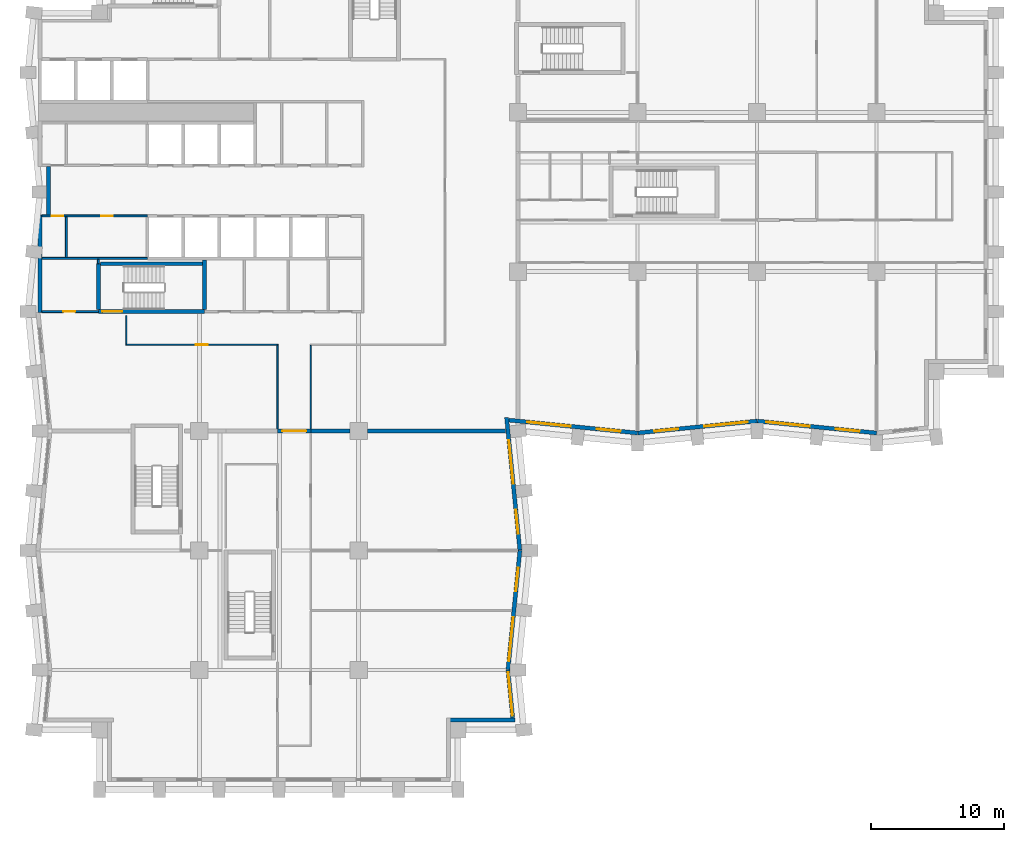
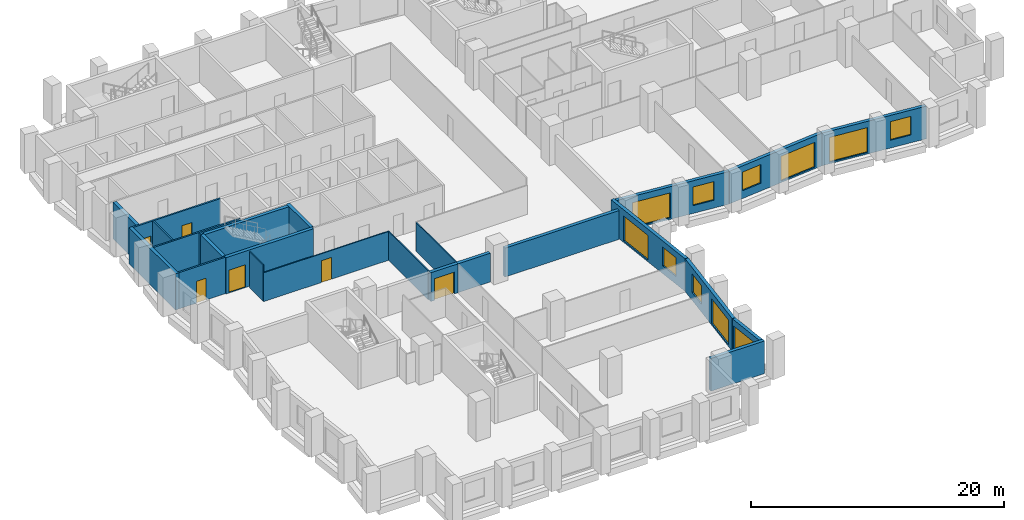
# One storey, part 4 of 11: 25 walls, 11 windows, 6 doors, 17 openings.
"""IFC4 building model written with IfcOpenShell, lengths in metres."""

from ifc_helpers import new_model, si_unit, direction, frame, frame_2d, origin, place, context, subcontext, project, spatial, rectangle, extrude, material, layer, layer_set, type_object, element, fill, save


model = new_model("IFC4")

# Units and contexts
model_context = context("Model", 3, precision=1e-05, world=origin(), true_north=direction((0.0, 1.0)))
body_context = subcontext(model_context, "Body", "Model", "MODEL_VIEW")
ifc_project = project(units=[si_unit("LENGTHUNIT", "METRE"), si_unit("AREAUNIT", "SQUARE_METRE"), si_unit("VOLUMEUNIT", "CUBIC_METRE"), si_unit("PLANEANGLEUNIT", "RADIAN"), si_unit("MASSUNIT", "GRAM", prefix="KILO")], contexts=[model_context])

# Site, building, storey
site_placement = place(None, origin())
site = spatial("IfcSite", under=ifc_project, at=site_placement, CompositionType="ELEMENT")
building_placement = place(site_placement, origin())
building = spatial("IfcBuilding", under=site, at=building_placement, Name="Brondeck Convention Tower", CompositionType="ELEMENT")
storey_placement = place(building_placement, frame((0.0, 0.0, 92.300048828125)))
storey = spatial("IfcBuildingStorey", under=building, at=storey_placement, Name="L21", CompositionType="ELEMENT", Elevation=92.300048828125)

# Wall, opening, door
ifc_material_1 = material(Name="Concrete compartment wall C30/37", Category="concrete")
ifc_layer_1 = layer(ifc_material_1, 0.300048828125)
ifc_layer_set_1 = layer_set([ifc_layer_1], Name="Compartment wall 300")
wall_type_1 = type_object("IfcWallType", Name="Compartment wall 300", PredefinedType="PARTITIONING", material=ifc_layer_set_1)
wall_1_placement = place(storey_placement, frame((20.39990234375, 27.0, 0.0), z_axis=(0.0, 0.0, 1.0), x_axis=(-1.0, 0.0, 0.0)))
wall_1 = element("IfcWall", 1, at=wall_1_placement, inside=storey, type_object=wall_type_1, Name="FLR-L21-W020", PredefinedType="PARTITIONING", context=body_context, shape_type="SweptSolid", body=[
    extrude(rectangle(XDim=2.5, YDim=0.300048828125, at=frame_2d((1.25, 0.0))), origin(), (0.0, 0.0, 1.0), 2.780029296875),
])
opening_1_placement = place(wall_1_placement, frame((0.35009765625, 0.0, 0.0)))
opening_1 = element("IfcOpeningElement", 2, at=opening_1_placement, cuts=wall_1, Name="Opening OF-A-024", PredefinedType="OPENING", context=body_context, shape_type="SweptSolid", body=[
    extrude(rectangle(XDim=1.800048828125, YDim=2.10009765625, at=frame_2d((0.89990234375, 1.050048828125))), frame((0.0, 0.159912109375, 0.0), z_axis=(0.0, -1.0, 0.0), x_axis=(1.0, 0.0, 0.0)), (0.0, 0.0, 1.0), 0.320068359375),
])
ifc_material_2 = material(Name="Steel fire door pair", Category="steel")
door_type_1 = type_object("IfcDoorType", Name="Fire door pair 1800", OperationType="DOUBLE_DOOR_SINGLE_SWING", PredefinedType="DOOR", material=ifc_material_2)
door_1_placement = place(opening_1_placement, origin())
door_1 = element("IfcDoor", 3, at=door_1_placement, inside=storey, type_object=door_type_1, Name="Door OF-A-024", OperationType="DOUBLE_DOOR_SINGLE_SWING", OverallHeight=2.10009765625, OverallWidth=1.800048828125, PredefinedType="DOOR", context=body_context, shape_type="SweptSolid", body=[
    extrude(rectangle(XDim=1.800048828125, YDim=2.10009765625, at=frame_2d((0.89990234375, 1.050048828125))), frame((0.0, 0.02490234375, 0.0), z_axis=(0.0, -1.0, 0.0), x_axis=(1.0, 0.0, 0.0)), (0.0, 0.0, 1.0), 0.050048828125),
])
fill(opening_1, door_1)

# Walls
wall_2_placement = place(storey_placement, frame((20.39990234375, 27.0, 0.0), z_axis=(0.0, 0.0, 1.0), x_axis=(1.0, 0.0, 0.0)))
element("IfcWall", 4, at=wall_2_placement, inside=storey, type_object=wall_type_1, Name="FLR-L21-W021", PredefinedType="PARTITIONING", context=body_context, shape_type="SweptSolid", body=[
    extrude(rectangle(XDim=2.945068359375, YDim=0.300048828125, at=frame_2d((1.47265625, 0.0))), origin(), (0.0, 0.0, 1.0), 2.780029296875),
])
wall_3_placement = place(storey_placement, frame((24.655029296875, 27.0, 0.0), z_axis=(0.0, 0.0, 1.0), x_axis=(1.0, 0.0, 0.0)))
element("IfcWall", 5, at=wall_3_placement, inside=storey, type_object=wall_type_1, Name="FLR-L21-W022", PredefinedType="PARTITIONING", context=body_context, shape_type="SweptSolid", body=[
    extrude(rectangle(XDim=10.42041015625, YDim=0.300048828125, at=frame_2d((5.210205078125, 0.0))), origin(), (0.0, 0.0, 1.0), 2.780029296875),
])
ifc_material_3 = material(Name="Concrete C70/85", Category="concrete")
ifc_layer_2 = layer(ifc_material_3, 0.300048828125)
ifc_layer_set_2 = layer_set([ifc_layer_2], Name="Core outer wall 300 Concrete C70/85")
wall_type_2 = type_object("IfcWallType", Name="Core outer wall 300 Concrete C70/85", PredefinedType="SHEAR", material=ifc_layer_set_2)
wall_4_placement = place(storey_placement, frame((0.0, 35.925048828125, 0.0), z_axis=(0.0, 0.0, 1.0), x_axis=(0.0, 1.0, 0.0)))
element("IfcWall", 6, at=wall_4_placement, inside=storey, type_object=wall_type_2, Name="L21 core wall", PredefinedType="SHEAR", context=body_context, shape_type="SweptSolid", body=[
    extrude(rectangle(XDim=7.349853515625, YDim=0.300048828125, at=frame_2d((3.6748046875, 0.0))), origin(), (0.0, 0.0, 1.0), 3.5),
])
wall_5_placement = place(storey_placement, frame((0.64990234375, 43.27490234375, 0.0), z_axis=(0.0, 0.0, 1.0), x_axis=(0.0, 1.0, 0.0)))
element("IfcWall", 7, at=wall_5_placement, inside=storey, type_object=wall_type_2, Name="L21 core wall", PredefinedType="SHEAR", context=body_context, shape_type="SweptSolid", body=[
    extrude(rectangle(XDim=3.650146484375, YDim=0.300048828125, at=frame_2d((1.8251953125, 0.0))), origin(), (0.0, 0.0, 1.0), 3.5),
])

# Wall, opening, door
ifc_material_4 = material(Name="Fire-rated gypsum board partition")
ifc_layer_3 = layer(ifc_material_4, 0.14990234375)
ifc_layer_set_3 = layer_set([ifc_layer_3], Name="Core partition 150 EI 60")
wall_type_3 = type_object("IfcWallType", Name="Core partition 150 EI 60", PredefinedType="PARTITIONING", material=ifc_layer_set_3)
wall_6_placement = place(storey_placement, frame((0.14990234375, 36.0, 0.0), z_axis=(0.0, 0.0, 1.0), x_axis=(1.0, 0.0, 0.0)))
wall_6 = element("IfcWall", 8, at=wall_6_placement, inside=storey, type_object=wall_type_3, Name="L21 core wall", PredefinedType="PARTITIONING", context=body_context, shape_type="SweptSolid", body=[
    extrude(rectangle(XDim=4.25, YDim=0.14990234375, at=frame_2d((2.125, 0.0))), origin(), (0.0, 0.0, 1.0), 3.5),
])
opening_2_placement = place(wall_6_placement, frame((1.60009765625, 0.0, 0.0)))
opening_2 = element("IfcOpeningElement", 9, at=opening_2_placement, cuts=wall_6, Name="Opening C14-07", PredefinedType="OPENING", context=body_context, shape_type="SweptSolid", body=[
    extrude(rectangle(XDim=0.89990234375, YDim=2.10009765625, at=frame_2d((0.449951171875, 1.050048828125))), frame((0.0, 0.0849609375, 0.0), z_axis=(0.0, -1.0, 0.0), x_axis=(1.0, 0.0, 0.0)), (0.0, 0.0, 1.0), 0.169921875),
])
ifc_material_5 = material(Name="Steel fire door", Category="steel")
door_type_2 = type_object("IfcDoorType", Name="Room door 900x2100 EI 60", OperationType="NOTDEFINED", PredefinedType="DOOR", material=ifc_material_5)
door_2_placement = place(opening_2_placement, origin())
door_2 = element("IfcDoor", 10, at=door_2_placement, inside=storey, type_object=door_type_2, Name="L21 Room door FRW-1", OperationType="SINGLE_SWING_LEFT", OverallHeight=2.10009765625, OverallWidth=0.89990234375, PredefinedType="DOOR", context=body_context, shape_type="SweptSolid", body=[
    extrude(rectangle(XDim=0.89990234375, YDim=2.10009765625, at=frame_2d((0.449951171875, 1.050048828125))), frame((0.0, 0.02490234375, 0.0), z_axis=(0.0, -1.0, 0.0), x_axis=(1.0, 0.0, 0.0)), (0.0, 0.0, 1.0), 0.050048828125),
])
fill(opening_2, door_2)

# Wall
wall_7_placement = place(storey_placement, frame((0.14990234375, 40.0, 0.0), z_axis=(0.0, 0.0, 1.0), x_axis=(1.0, 0.0, 0.0)))
element("IfcWall", 11, at=wall_7_placement, inside=storey, type_object=wall_type_3, Name="L21 core wall", PredefinedType="PARTITIONING", context=body_context, shape_type="SweptSolid", body=[
    extrude(rectangle(XDim=7.9501953125, YDim=0.14990234375, at=frame_2d((3.97509765625, 0.0))), origin(), (0.0, 0.0, 1.0), 3.5),
])

# Wall, openings, doors
wall_8_placement = place(storey_placement, frame((0.14990234375, 43.199951171875, 0.0), z_axis=(0.0, 0.0, 1.0), x_axis=(1.0, 0.0, 0.0)))
wall_8 = element("IfcWall", 12, at=wall_8_placement, inside=storey, type_object=wall_type_3, Name="L21 core wall", PredefinedType="PARTITIONING", context=body_context, shape_type="SweptSolid", body=[
    extrude(rectangle(XDim=7.9501953125, YDim=0.14990234375, at=frame_2d((3.97509765625, 0.0))), origin(), (0.0, 0.0, 1.0), 3.5),
])
opening_3_placement = place(wall_8_placement, frame((0.72509765625, 0.0, 0.0)))
opening_3 = element("IfcOpeningElement", 13, at=opening_3_placement, cuts=wall_8, Name="Opening C14-12", PredefinedType="OPENING", context=body_context, shape_type="SweptSolid", body=[
    extrude(rectangle(XDim=0.89990234375, YDim=2.10009765625, at=frame_2d((0.449951171875, 1.050048828125))), frame((0.0, 0.0849609375, 0.0), z_axis=(0.0, -1.0, 0.0), x_axis=(1.0, 0.0, 0.0)), (0.0, 0.0, 1.0), 0.169921875),
])
opening_4_placement = place(wall_8_placement, frame((4.449951171875, 0.0, 0.0)))
opening_4 = element("IfcOpeningElement", 14, at=opening_4_placement, cuts=wall_8, Name="Opening C14-13", PredefinedType="OPENING", context=body_context, shape_type="SweptSolid", body=[
    extrude(rectangle(XDim=0.89990234375, YDim=2.10009765625, at=frame_2d((0.449951171875, 1.050048828125))), frame((0.0, 0.0849609375, 0.0), z_axis=(0.0, -1.0, 0.0), x_axis=(1.0, 0.0, 0.0)), (0.0, 0.0, 1.0), 0.169921875),
])
door_3_placement = place(opening_3_placement, origin())
door_3 = element("IfcDoor", 15, at=door_3_placement, inside=storey, type_object=door_type_2, Name="L21 Room door FZ-S-0-1", OperationType="SINGLE_SWING_LEFT", OverallHeight=2.10009765625, OverallWidth=0.89990234375, PredefinedType="DOOR", context=body_context, shape_type="SweptSolid", body=[
    extrude(rectangle(XDim=0.89990234375, YDim=2.10009765625, at=frame_2d((0.449951171875, 1.050048828125))), frame((0.0, 0.02490234375, 0.0), z_axis=(0.0, -1.0, 0.0), x_axis=(1.0, 0.0, 0.0)), (0.0, 0.0, 1.0), 0.050048828125),
])
fill(opening_3, door_3)
door_4_placement = place(opening_4_placement, origin())
door_4 = element("IfcDoor", 16, at=door_4_placement, inside=storey, type_object=door_type_2, Name="L21 Room door FZ-S-0-2", OperationType="SINGLE_SWING_RIGHT", OverallHeight=2.10009765625, OverallWidth=0.89990234375, PredefinedType="DOOR", context=body_context, shape_type="SweptSolid", body=[
    extrude(rectangle(XDim=0.89990234375, YDim=2.10009765625, at=frame_2d((0.449951171875, 1.050048828125))), frame((0.0, 0.02490234375, 0.0), z_axis=(0.0, -1.0, 0.0), x_axis=(1.0, 0.0, 0.0)), (0.0, 0.0, 1.0), 0.050048828125),
])
fill(opening_4, door_4)

# Walls
wall_9_placement = place(storey_placement, frame((2.0, 40.074951171875, 0.0), z_axis=(0.0, 0.0, 1.0), x_axis=(0.0, 1.0, 0.0)))
element("IfcWall", 17, at=wall_9_placement, inside=storey, type_object=wall_type_3, Name="L21 core wall", PredefinedType="PARTITIONING", context=body_context, shape_type="SweptSolid", body=[
    extrude(rectangle(XDim=3.050048828125, YDim=0.14990234375, at=frame_2d((1.52490234375, 0.0))), origin(), (0.0, 0.0, 1.0), 3.5),
])
wall_10_placement = place(storey_placement, frame((4.39990234375, 39.60009765625, 0.0), z_axis=(0.0, 0.0, 1.0), x_axis=(0.0, 1.0, 0.0)))
element("IfcWall", 18, at=wall_10_placement, inside=storey, type_object=wall_type_3, Name="L21 core wall", PredefinedType="PARTITIONING", context=body_context, shape_type="SweptSolid", body=[
    extrude(rectangle(XDim=0.324951171875, YDim=0.14990234375, at=frame_2d((0.16259765625, 0.0))), origin(), (0.0, 0.0, 1.0), 3.5),
])
ifc_material_6 = material(Name="Precast concrete C50/60 bronze finish", Category="concrete")
ifc_layer_4 = layer(ifc_material_6, 0.070068359375, Name="Bronze precast facing")
ifc_material_7 = material(Name="Mineral wool")
ifc_layer_5 = layer(ifc_material_7, 0.159912109375, Name="Insulation")
ifc_material_8 = material(Name="Concrete C35/45", Category="concrete")
ifc_layer_6 = layer(ifc_material_8, 0.070068359375, Name="Backing")
ifc_layer_set_4 = layer_set([ifc_layer_4, ifc_layer_5, ifc_layer_6], Name="External infill wall, precast concrete C50/60 bronze facing")
wall_type_4 = type_object("IfcWallType", Name="External infill wall, precast concrete C50/60 bronze facing", PredefinedType="SOLIDWALL", material=ifc_layer_set_4)
wall_11_placement = place(storey_placement, frame((35.787109375, 5.25, 0.0), z_axis=(0.0, 0.0, 1.0), x_axis=(-1.0, 0.0, 0.0)))
element("IfcWall", 19, at=wall_11_placement, inside=storey, type_object=wall_type_4, Name="ENV-EW-L21-P0-NC-SEB0-02", PredefinedType="SOLIDWALL", context=body_context, shape_type="SweptSolid", body=[
    extrude(rectangle(XDim=4.88720703125, YDim=0.300048828125, at=frame_2d((2.443603515625, 0.0))), origin(), (0.0, 0.0, 1.0), 3.14990234375),
])

# Wall, opening, window
wall_12_placement = place(storey_placement, frame((35.244873046875, 9.014892578125, 0.0), z_axis=(0.0, 0.0, 1.0), x_axis=(0.099470401798, -0.995040521369, 0.0)))
wall_12 = element("IfcWall", 20, at=wall_12_placement, inside=storey, type_object=wall_type_4, Name="ENV-EW-L21-P0-B-E-04", PredefinedType="SOLIDWALL", context=body_context, shape_type="SweptSolid", body=[
    extrude(rectangle(XDim=3.627685546875, YDim=0.300048828125, at=frame_2d((1.81396484375, 0.0))), origin(), (0.0, 0.0, 1.0), 3.14990234375),
])
opening_5_placement = place(wall_12_placement, frame((0.177734375, 0.0, 0.14990234375)))
opening_5 = element("IfcOpeningElement", 21, at=opening_5_placement, cuts=wall_12, Name="Opening W9", PredefinedType="OPENING", context=body_context, shape_type="SweptSolid", body=[
    extrude(rectangle(XDim=3.300048828125, YDim=2.39990234375, at=frame_2d((1.64990234375, 1.199951171875))), frame((0.0, 0.159912109375, 0.0), z_axis=(0.0, -1.0, 0.0), x_axis=(1.0, 0.0, 0.0)), (0.0, 0.0, 1.0), 0.320068359375),
])
ifc_material_9 = material(Name="Bronze tinted double glazing", Category="glass")
window_type_1 = type_object("IfcWindowType", Name="Glazed flute window, bronze tinted", PartitioningType="SINGLE_PANEL", PredefinedType="WINDOW", material=ifc_material_9)
window_1_placement = place(opening_5_placement, origin())
window_1 = element("IfcWindow", 22, at=window_1_placement, inside=storey, type_object=window_type_1, Name="ENV-WN-L21-P0-B-E-04", OverallHeight=2.39990234375, OverallWidth=3.300048828125, PartitioningType="SINGLE_PANEL", PredefinedType="WINDOW", context=body_context, shape_type="SweptSolid", body=[
    extrude(rectangle(XDim=3.300048828125, YDim=2.39990234375, at=frame_2d((1.64990234375, 1.199951171875))), frame((0.0, 0.030029296875, 0.0), z_axis=(0.0, -1.0, 0.0), x_axis=(1.0, 0.0, 0.0)), (0.0, 0.0, 1.0), 0.06005859375),
])
fill(opening_5, window_1)

# Wall, openings, windows
wall_13_placement = place(storey_placement, frame((36.147705078125, 18.014892578125, 0.0), z_axis=(0.0, 0.0, 1.0), x_axis=(-0.099495688264, -0.995037993253, 0.0)))
wall_13 = element("IfcWall", 23, at=wall_13_placement, inside=storey, type_object=wall_type_4, Name="ENV-EW-L21-P0-B-E-03", PredefinedType="SOLIDWALL", context=body_context, shape_type="SweptSolid", body=[
    extrude(rectangle(XDim=9.030029296875, YDim=0.300048828125, at=frame_2d((4.51513671875, 0.0))), origin(), (0.0, 0.0, 1.0), 3.14990234375),
])
opening_6_placement = place(wall_13_placement, frame((1.30126953125, 0.0, 0.75)))
opening_6 = element("IfcOpeningElement", 24, at=opening_6_placement, cuts=wall_13, Name="Opening W10", PredefinedType="OPENING", context=body_context, shape_type="SweptSolid", body=[
    extrude(rectangle(XDim=1.800048828125, YDim=1.800048828125, at=frame_2d((0.89990234375, 0.89990234375))), frame((0.0, 0.159912109375, 0.0), z_axis=(0.0, -1.0, 0.0), x_axis=(1.0, 0.0, 0.0)), (0.0, 0.0, 1.0), 0.320068359375),
])
opening_7_placement = place(wall_13_placement, frame((5.073486328125, 0.0, 0.14990234375)))
opening_7 = element("IfcOpeningElement", 25, at=opening_7_placement, cuts=wall_13, Name="Opening W9", PredefinedType="OPENING", context=body_context, shape_type="SweptSolid", body=[
    extrude(rectangle(XDim=3.300048828125, YDim=2.39990234375, at=frame_2d((1.64990234375, 1.199951171875))), frame((0.0, 0.159912109375, 0.0), z_axis=(0.0, -1.0, 0.0), x_axis=(1.0, 0.0, 0.0)), (0.0, 0.0, 1.0), 0.320068359375),
])
window_2_placement = place(opening_7_placement, origin())
window_2 = element("IfcWindow", 26, at=window_2_placement, inside=storey, type_object=window_type_1, Name="ENV-WN-L21-P0-B-E-03", OverallHeight=2.39990234375, OverallWidth=3.300048828125, PartitioningType="SINGLE_PANEL", PredefinedType="WINDOW", context=body_context, shape_type="SweptSolid", body=[
    extrude(rectangle(XDim=3.300048828125, YDim=2.39990234375, at=frame_2d((1.64990234375, 1.199951171875))), frame((0.0, 0.030029296875, 0.0), z_axis=(0.0, -1.0, 0.0), x_axis=(1.0, 0.0, 0.0)), (0.0, 0.0, 1.0), 0.06005859375),
])
fill(opening_7, window_2)
window_type_2 = type_object("IfcWindowType", Name="Punched window, bronze tinted", PartitioningType="SINGLE_PANEL", PredefinedType="WINDOW", material=ifc_material_9)
window_3_placement = place(opening_6_placement, origin())
window_3 = element("IfcWindow", 27, at=window_3_placement, inside=storey, type_object=window_type_2, Name="ENV-WN-L21-P0-B-E-02", OverallHeight=1.800048828125, OverallWidth=1.800048828125, PartitioningType="SINGLE_PANEL", PredefinedType="WINDOW", context=body_context, shape_type="SweptSolid", body=[
    extrude(rectangle(XDim=1.800048828125, YDim=1.800048828125, at=frame_2d((0.89990234375, 0.89990234375))), frame((0.0, 0.030029296875, 0.0), z_axis=(0.0, -1.0, 0.0), x_axis=(1.0, 0.0, 0.0)), (0.0, 0.0, 1.0), 0.06005859375),
])
fill(opening_6, window_3)

wall_14_placement = place(storey_placement, frame((35.144287109375, 28.02001953125, 0.0), z_axis=(0.0, 0.0, 1.0), x_axis=(0.099503719021, -0.99503719021, 0.0)))
wall_14 = element("IfcWall", 28, at=wall_14_placement, inside=storey, type_object=wall_type_4, Name="ENV-EW-L21-P0-B-E-01", PredefinedType="SOLIDWALL", context=body_context, shape_type="SweptSolid", body=[
    extrude(rectangle(XDim=10.0400390625, YDim=0.300048828125, at=frame_2d((5.02001953125, 0.0))), origin(), (0.0, 0.0, 1.0), 3.14990234375),
])
opening_8_placement = place(wall_14_placement, frame((1.711181640625, 0.0, 0.14990234375)))
opening_8 = element("IfcOpeningElement", 29, at=opening_8_placement, cuts=wall_14, Name="Opening W9", PredefinedType="OPENING", context=body_context, shape_type="SweptSolid", body=[
    extrude(rectangle(XDim=3.300048828125, YDim=2.39990234375, at=frame_2d((1.64990234375, 1.199951171875))), frame((0.0, 0.159912109375, 0.0), z_axis=(0.0, -1.0, 0.0), x_axis=(1.0, 0.0, 0.0)), (0.0, 0.0, 1.0), 0.320068359375),
])
opening_9_placement = place(wall_14_placement, frame((6.983642578125, 0.0, 0.75)))
opening_9 = element("IfcOpeningElement", 30, at=opening_9_placement, cuts=wall_14, Name="Opening W10", PredefinedType="OPENING", context=body_context, shape_type="SweptSolid", body=[
    extrude(rectangle(XDim=1.800048828125, YDim=1.800048828125, at=frame_2d((0.89990234375, 0.89990234375))), frame((0.0, 0.159912109375, 0.0), z_axis=(0.0, -1.0, 0.0), x_axis=(1.0, 0.0, 0.0)), (0.0, 0.0, 1.0), 0.320068359375),
])
window_4_placement = place(opening_8_placement, origin())
window_4 = element("IfcWindow", 31, at=window_4_placement, inside=storey, type_object=window_type_1, Name="ENV-WN-L21-P0-B-E-00", OverallHeight=2.39990234375, OverallWidth=3.300048828125, PartitioningType="SINGLE_PANEL", PredefinedType="WINDOW", context=body_context, shape_type="SweptSolid", body=[
    extrude(rectangle(XDim=3.300048828125, YDim=2.39990234375, at=frame_2d((1.64990234375, 1.199951171875))), frame((0.0, 0.030029296875, 0.0), z_axis=(0.0, -1.0, 0.0), x_axis=(1.0, 0.0, 0.0)), (0.0, 0.0, 1.0), 0.06005859375),
])
fill(opening_8, window_4)
window_5_placement = place(opening_9_placement, origin())
window_5 = element("IfcWindow", 32, at=window_5_placement, inside=storey, type_object=window_type_2, Name="ENV-WN-L21-P0-B-E-01", OverallHeight=1.800048828125, OverallWidth=1.800048828125, PartitioningType="SINGLE_PANEL", PredefinedType="WINDOW", context=body_context, shape_type="SweptSolid", body=[
    extrude(rectangle(XDim=1.800048828125, YDim=1.800048828125, at=frame_2d((0.89990234375, 0.89990234375))), frame((0.0, 0.030029296875, 0.0), z_axis=(0.0, -1.0, 0.0), x_axis=(1.0, 0.0, 0.0)), (0.0, 0.0, 1.0), 0.06005859375),
])
fill(opening_9, window_5)

wall_15_placement = place(storey_placement, frame((45.014892578125, 26.852294921875, 0.0), z_axis=(0.0, 0.0, 1.0), x_axis=(-0.995037438546, 0.099501235631, 0.0)))
wall_15 = element("IfcWall", 33, at=wall_15_placement, inside=storey, type_object=wall_type_4, Name="ENV-EW-L21-P0-A-S-00", PredefinedType="SOLIDWALL", context=body_context, shape_type="SweptSolid", body=[
    extrude(rectangle(XDim=9.733642578125, YDim=0.300048828125, at=frame_2d((4.86669921875, 0.0))), origin(), (0.0, 0.0, 1.0), 3.14990234375),
])
opening_10_placement = place(wall_15_placement, frame((1.30126953125, 0.0, 0.75)))
opening_10 = element("IfcOpeningElement", 34, at=opening_10_placement, cuts=wall_15, Name="Opening W10", PredefinedType="OPENING", context=body_context, shape_type="SweptSolid", body=[
    extrude(rectangle(XDim=1.800048828125, YDim=1.800048828125, at=frame_2d((0.89990234375, 0.89990234375))), frame((0.0, 0.159912109375, 0.0), z_axis=(0.0, -1.0, 0.0), x_axis=(1.0, 0.0, 0.0)), (0.0, 0.0, 1.0), 0.320068359375),
])
opening_11_placement = place(wall_15_placement, frame((5.073486328125, 0.0, 0.14990234375)))
opening_11 = element("IfcOpeningElement", 35, at=opening_11_placement, cuts=wall_15, Name="Opening W9", PredefinedType="OPENING", context=body_context, shape_type="SweptSolid", body=[
    extrude(rectangle(XDim=3.300048828125, YDim=2.39990234375, at=frame_2d((1.64990234375, 1.199951171875))), frame((0.0, 0.159912109375, 0.0), z_axis=(0.0, -1.0, 0.0), x_axis=(1.0, 0.0, 0.0)), (0.0, 0.0, 1.0), 0.320068359375),
])
window_6_placement = place(opening_11_placement, origin())
window_6 = element("IfcWindow", 36, at=window_6_placement, inside=storey, type_object=window_type_1, Name="ENV-WN-L21-P0-A-S-00", OverallHeight=2.39990234375, OverallWidth=3.300048828125, PartitioningType="SINGLE_PANEL", PredefinedType="WINDOW", context=body_context, shape_type="SweptSolid", body=[
    extrude(rectangle(XDim=3.300048828125, YDim=2.39990234375, at=frame_2d((1.64990234375, 1.199951171875))), frame((0.0, 0.030029296875, 0.0), z_axis=(0.0, -1.0, 0.0), x_axis=(1.0, 0.0, 0.0)), (0.0, 0.0, 1.0), 0.06005859375),
])
fill(opening_11, window_6)
window_7_placement = place(opening_10_placement, origin())
window_7 = element("IfcWindow", 37, at=window_7_placement, inside=storey, type_object=window_type_2, Name="ENV-WN-L21-P0-A-S-01", OverallHeight=1.800048828125, OverallWidth=1.800048828125, PartitioningType="SINGLE_PANEL", PredefinedType="WINDOW", context=body_context, shape_type="SweptSolid", body=[
    extrude(rectangle(XDim=1.800048828125, YDim=1.800048828125, at=frame_2d((0.89990234375, 0.89990234375))), frame((0.0, 0.030029296875, 0.0), z_axis=(0.0, -1.0, 0.0), x_axis=(1.0, 0.0, 0.0)), (0.0, 0.0, 1.0), 0.06005859375),
])
fill(opening_10, window_7)

wall_16_placement = place(storey_placement, frame((54.014892578125, 27.755126953125, 0.0), z_axis=(0.0, 0.0, 1.0), x_axis=(-0.995037993253, -0.099495688264, 0.0)))
wall_16 = element("IfcWall", 38, at=wall_16_placement, inside=storey, type_object=wall_type_4, Name="ENV-EW-L21-P0-A-S-02", PredefinedType="SOLIDWALL", context=body_context, shape_type="SweptSolid", body=[
    extrude(rectangle(XDim=9.030029296875, YDim=0.300048828125, at=frame_2d((4.51513671875, 0.0))), origin(), (0.0, 0.0, 1.0), 3.14990234375),
])
opening_12_placement = place(wall_16_placement, frame((0.701171875, 0.0, 0.14990234375)))
opening_12 = element("IfcOpeningElement", 39, at=opening_12_placement, cuts=wall_16, Name="Opening W9", PredefinedType="OPENING", context=body_context, shape_type="SweptSolid", body=[
    extrude(rectangle(XDim=3.300048828125, YDim=2.39990234375, at=frame_2d((1.64990234375, 1.199951171875))), frame((0.0, 0.159912109375, 0.0), z_axis=(0.0, -1.0, 0.0), x_axis=(1.0, 0.0, 0.0)), (0.0, 0.0, 1.0), 0.320068359375),
])
opening_13_placement = place(wall_16_placement, frame((5.9736328125, 0.0, 0.75)))
opening_13 = element("IfcOpeningElement", 40, at=opening_13_placement, cuts=wall_16, Name="Opening W10", PredefinedType="OPENING", context=body_context, shape_type="SweptSolid", body=[
    extrude(rectangle(XDim=1.800048828125, YDim=1.800048828125, at=frame_2d((0.89990234375, 0.89990234375))), frame((0.0, 0.159912109375, 0.0), z_axis=(0.0, -1.0, 0.0), x_axis=(1.0, 0.0, 0.0)), (0.0, 0.0, 1.0), 0.320068359375),
])
window_8_placement = place(opening_12_placement, origin())
window_8 = element("IfcWindow", 41, at=window_8_placement, inside=storey, type_object=window_type_1, Name="ENV-WN-L21-P0-A-S-03", OverallHeight=2.39990234375, OverallWidth=3.300048828125, PartitioningType="SINGLE_PANEL", PredefinedType="WINDOW", context=body_context, shape_type="SweptSolid", body=[
    extrude(rectangle(XDim=3.300048828125, YDim=2.39990234375, at=frame_2d((1.64990234375, 1.199951171875))), frame((0.0, 0.030029296875, 0.0), z_axis=(0.0, -1.0, 0.0), x_axis=(1.0, 0.0, 0.0)), (0.0, 0.0, 1.0), 0.06005859375),
])
fill(opening_12, window_8)
window_9_placement = place(opening_13_placement, origin())
window_9 = element("IfcWindow", 42, at=window_9_placement, inside=storey, type_object=window_type_2, Name="ENV-WN-L21-P0-A-S-02", OverallHeight=1.800048828125, OverallWidth=1.800048828125, PartitioningType="SINGLE_PANEL", PredefinedType="WINDOW", context=body_context, shape_type="SweptSolid", body=[
    extrude(rectangle(XDim=1.800048828125, YDim=1.800048828125, at=frame_2d((0.89990234375, 0.89990234375))), frame((0.0, 0.030029296875, 0.0), z_axis=(0.0, -1.0, 0.0), x_axis=(1.0, 0.0, 0.0)), (0.0, 0.0, 1.0), 0.06005859375),
])
fill(opening_13, window_9)

wall_17_placement = place(storey_placement, frame((63.014892578125, 26.852294921875, 0.0), z_axis=(0.0, 0.0, 1.0), x_axis=(-0.995037993253, 0.099495688264, 0.0)))
wall_17 = element("IfcWall", 43, at=wall_17_placement, inside=storey, type_object=wall_type_4, Name="ENV-EW-L21-P0-A-S-04", PredefinedType="SOLIDWALL", context=body_context, shape_type="SweptSolid", body=[
    extrude(rectangle(XDim=9.030029296875, YDim=0.300048828125, at=frame_2d((4.51513671875, 0.0))), origin(), (0.0, 0.0, 1.0), 3.14990234375),
])
opening_14_placement = place(wall_17_placement, frame((1.30126953125, 0.0, 0.75)))
opening_14 = element("IfcOpeningElement", 44, at=opening_14_placement, cuts=wall_17, Name="Opening W10", PredefinedType="OPENING", context=body_context, shape_type="SweptSolid", body=[
    extrude(rectangle(XDim=1.800048828125, YDim=1.800048828125, at=frame_2d((0.89990234375, 0.89990234375))), frame((0.0, 0.159912109375, 0.0), z_axis=(0.0, -1.0, 0.0), x_axis=(1.0, 0.0, 0.0)), (0.0, 0.0, 1.0), 0.320068359375),
])
opening_15_placement = place(wall_17_placement, frame((5.073486328125, 0.0, 0.14990234375)))
opening_15 = element("IfcOpeningElement", 45, at=opening_15_placement, cuts=wall_17, Name="Opening W9", PredefinedType="OPENING", context=body_context, shape_type="SweptSolid", body=[
    extrude(rectangle(XDim=3.300048828125, YDim=2.39990234375, at=frame_2d((1.64990234375, 1.199951171875))), frame((0.0, 0.159912109375, 0.0), z_axis=(0.0, -1.0, 0.0), x_axis=(1.0, 0.0, 0.0)), (0.0, 0.0, 1.0), 0.320068359375),
])
window_10_placement = place(opening_15_placement, origin())
window_10 = element("IfcWindow", 46, at=window_10_placement, inside=storey, type_object=window_type_1, Name="ENV-WN-L21-P0-A-S-04", OverallHeight=2.39990234375, OverallWidth=3.300048828125, PartitioningType="SINGLE_PANEL", PredefinedType="WINDOW", context=body_context, shape_type="SweptSolid", body=[
    extrude(rectangle(XDim=3.300048828125, YDim=2.39990234375, at=frame_2d((1.64990234375, 1.199951171875))), frame((0.0, 0.030029296875, 0.0), z_axis=(0.0, -1.0, 0.0), x_axis=(1.0, 0.0, 0.0)), (0.0, 0.0, 1.0), 0.06005859375),
])
fill(opening_15, window_10)
window_11_placement = place(opening_14_placement, origin())
window_11 = element("IfcWindow", 47, at=window_11_placement, inside=storey, type_object=window_type_2, Name="ENV-WN-L21-P0-A-S-05", OverallHeight=1.800048828125, OverallWidth=1.800048828125, PartitioningType="SINGLE_PANEL", PredefinedType="WINDOW", context=body_context, shape_type="SweptSolid", body=[
    extrude(rectangle(XDim=1.800048828125, YDim=1.800048828125, at=frame_2d((0.89990234375, 0.89990234375))), frame((0.0, 0.030029296875, 0.0), z_axis=(0.0, -1.0, 0.0), x_axis=(1.0, 0.0, 0.0)), (0.0, 0.0, 1.0), 0.06005859375),
])
fill(opening_14, window_11)

# Walls
ifc_material_10 = material(Name="Gypsum board partition on steel studs", Category="steel")
ifc_layer_7 = layer(ifc_material_10, 0.10009765625)
ifc_layer_set_5 = layer_set([ifc_layer_7], Name="Room partition 100")
wall_type_5 = type_object("IfcWallType", Name="Room partition 100", PredefinedType="PARTITIONING", material=ifc_layer_set_5)
for number, where, z_axis, x_axis, name in (
    (48, (17.89990234375, 27.169921875, 0.0), (0.0, 0.0, 1.0), (0.0, 1.0, 0.0), "FLR-L21-W023"),
    (49, (20.39990234375, 33.449951171875, 0.0), (0.0, 0.0, 1.0), (0.0, -1.0, 0.0), "FLR-L21-W025"),
):
    element("IfcWall", number, at=place(storey_placement, frame(where, z_axis=z_axis, x_axis=x_axis)), inside=storey, type_object=wall_type_5, Name=name, PredefinedType="PARTITIONING", context=body_context, shape_type="SweptSolid", body=[
        extrude(rectangle(XDim=6.280029296875, YDim=0.10009765625, at=frame_2d((3.14013671875, 0.0))), origin(), (0.0, 0.0, 1.0), 2.780029296875),
    ])

# Wall, opening, door
wall_18_placement = place(storey_placement, frame((17.949951171875, 33.5, 0.0), z_axis=(0.0, 0.0, 1.0), x_axis=(-1.0, 0.0, 0.0)))
wall_18 = element("IfcWall", 50, at=wall_18_placement, inside=storey, type_object=wall_type_5, Name="FLR-L21-W026", PredefinedType="PARTITIONING", context=body_context, shape_type="SweptSolid", body=[
    extrude(rectangle(XDim=11.5, YDim=0.10009765625, at=frame_2d((5.75, 0.0))), origin(), (0.0, 0.0, 1.0), 2.780029296875),
])
opening_16_placement = place(wall_18_placement, frame((5.300048828125, 0.0, 0.0)))
opening_16 = element("IfcOpeningElement", 51, at=opening_16_placement, cuts=wall_18, Name="Opening OF-A-022", PredefinedType="OPENING", context=body_context, shape_type="SweptSolid", body=[
    extrude(rectangle(XDim=0.89990234375, YDim=2.10009765625, at=frame_2d((0.449951171875, 1.050048828125))), frame((0.0, 0.06005859375, 0.0), z_axis=(0.0, -1.0, 0.0), x_axis=(1.0, 0.0, 0.0)), (0.0, 0.0, 1.0), 0.1201171875),
])
ifc_material_11 = material(Name="Solid timber door leaf", Category="wood")
door_type_3 = type_object("IfcDoorType", Name="Single door 900", OperationType="NOTDEFINED", PredefinedType="DOOR", material=ifc_material_11)
door_5_placement = place(opening_16_placement, origin())
door_5 = element("IfcDoor", 52, at=door_5_placement, inside=storey, type_object=door_type_3, Name="Door OF-A-022", OperationType="SINGLE_SWING_LEFT", OverallHeight=2.10009765625, OverallWidth=0.89990234375, PredefinedType="DOOR", context=body_context, shape_type="SweptSolid", body=[
    extrude(rectangle(XDim=0.89990234375, YDim=2.10009765625, at=frame_2d((0.449951171875, 1.050048828125))), frame((0.0, 0.02490234375, 0.0), z_axis=(0.0, -1.0, 0.0), x_axis=(1.0, 0.0, 0.0)), (0.0, 0.0, 1.0), 0.050048828125),
])
fill(opening_16, door_5)

# Wall
wall_19_placement = place(storey_placement, frame((6.5, 33.550048828125, 0.0), z_axis=(0.0, 0.0, 1.0), x_axis=(0.0, 1.0, 0.0)))
element("IfcWall", 53, at=wall_19_placement, inside=storey, type_object=wall_type_5, Name="FLR-L21-W028", PredefinedType="PARTITIONING", context=body_context, shape_type="SweptSolid", body=[
    extrude(rectangle(XDim=2.14990234375, YDim=0.10009765625, at=frame_2d((1.074951171875, 0.0))), origin(), (0.0, 0.0, 1.0), 3.47998046875),
])

# Wall, opening, door
ifc_layer_8 = layer(ifc_material_3, 0.300048828125)
ifc_layer_set_6 = layer_set([ifc_layer_8], Name="Stair enclosure wall 300 Concrete C70/85")
wall_type_6 = type_object("IfcWallType", Name="Stair enclosure wall 300 Concrete C70/85", PredefinedType="SHEAR", material=ifc_layer_set_6)
wall_20_placement = place(storey_placement, frame((4.39990234375, 36.0, 0.0), z_axis=(0.0, 0.0, 1.0), x_axis=(1.0, 0.0, 0.0)))
wall_20 = element("IfcWall", 54, at=wall_20_placement, inside=storey, type_object=wall_type_6, Name="L21 core wall", PredefinedType="SHEAR", context=body_context, shape_type="SweptSolid", body=[
    extrude(rectangle(XDim=8.0, YDim=0.300048828125, at=frame_2d((4.0, 0.0))), origin(), (0.0, 0.0, 1.0), 3.5),
])
opening_17_placement = place(wall_20_placement, frame((0.300048828125, 0.0, 0.0)))
opening_17 = element("IfcOpeningElement", 55, at=opening_17_placement, cuts=wall_20, Name="Opening C14-17", PredefinedType="OPENING", context=body_context, shape_type="SweptSolid", body=[
    extrude(rectangle(XDim=1.5, YDim=2.199951171875, at=frame_2d((0.75, 1.10009765625))), frame((0.0, 0.159912109375, 0.0), z_axis=(0.0, -1.0, 0.0), x_axis=(1.0, 0.0, 0.0)), (0.0, 0.0, 1.0), 0.320068359375),
])
door_type_4 = type_object("IfcDoorType", Name="Stair door 1500x2200 EI 90", OperationType="NOTDEFINED", PredefinedType="DOOR", material=ifc_material_5)
door_6_placement = place(opening_17_placement, origin())
door_6 = element("IfcDoor", 56, at=door_6_placement, inside=storey, type_object=door_type_4, Name="L21 Stair door ST-1", OperationType="SINGLE_SWING_RIGHT", OverallHeight=2.199951171875, OverallWidth=1.5, PredefinedType="DOOR", context=body_context, shape_type="SweptSolid", body=[
    extrude(rectangle(XDim=1.5, YDim=2.199951171875, at=frame_2d((0.75, 1.10009765625))), frame((0.0, 0.02490234375, 0.0), z_axis=(0.0, -1.0, 0.0), x_axis=(1.0, 0.0, 0.0)), (0.0, 0.0, 1.0), 0.050048828125),
])
fill(opening_17, door_6)

# Walls
wall_21_placement = place(storey_placement, frame((4.550048828125, 39.60009765625, 0.0), z_axis=(0.0, 0.0, 1.0), x_axis=(1.0, 0.0, 0.0)))
element("IfcWall", 57, at=wall_21_placement, inside=storey, type_object=wall_type_6, Name="L21 core wall", PredefinedType="SHEAR", context=body_context, shape_type="SweptSolid", body=[
    extrude(rectangle(XDim=7.699951171875, YDim=0.300048828125, at=frame_2d((3.85009765625, 0.0))), origin(), (0.0, 0.0, 1.0), 3.5),
])
wall_22_placement = place(storey_placement, frame((4.39990234375, 36.14990234375, 0.0), z_axis=(0.0, 0.0, 1.0), x_axis=(0.0, 1.0, 0.0)))
element("IfcWall", 58, at=wall_22_placement, inside=storey, type_object=wall_type_6, Name="L21 core wall", PredefinedType="SHEAR", context=body_context, shape_type="SweptSolid", body=[
    extrude(rectangle(XDim=3.4501953125, YDim=0.300048828125, at=frame_2d((1.72509765625, 0.0))), origin(), (0.0, 0.0, 1.0), 3.5),
])
wall_23_placement = place(storey_placement, frame((12.39990234375, 36.14990234375, 0.0), z_axis=(0.0, 0.0, 1.0), x_axis=(0.0, 1.0, 0.0)))
element("IfcWall", 59, at=wall_23_placement, inside=storey, type_object=wall_type_6, Name="L21 core wall", PredefinedType="SHEAR", context=body_context, shape_type="SweptSolid", body=[
    extrude(rectangle(XDim=3.72509765625, YDim=0.300048828125, at=frame_2d((1.862548828125, 0.0))), origin(), (0.0, 0.0, 1.0), 3.5),
])

save(model, "model.ifc")
